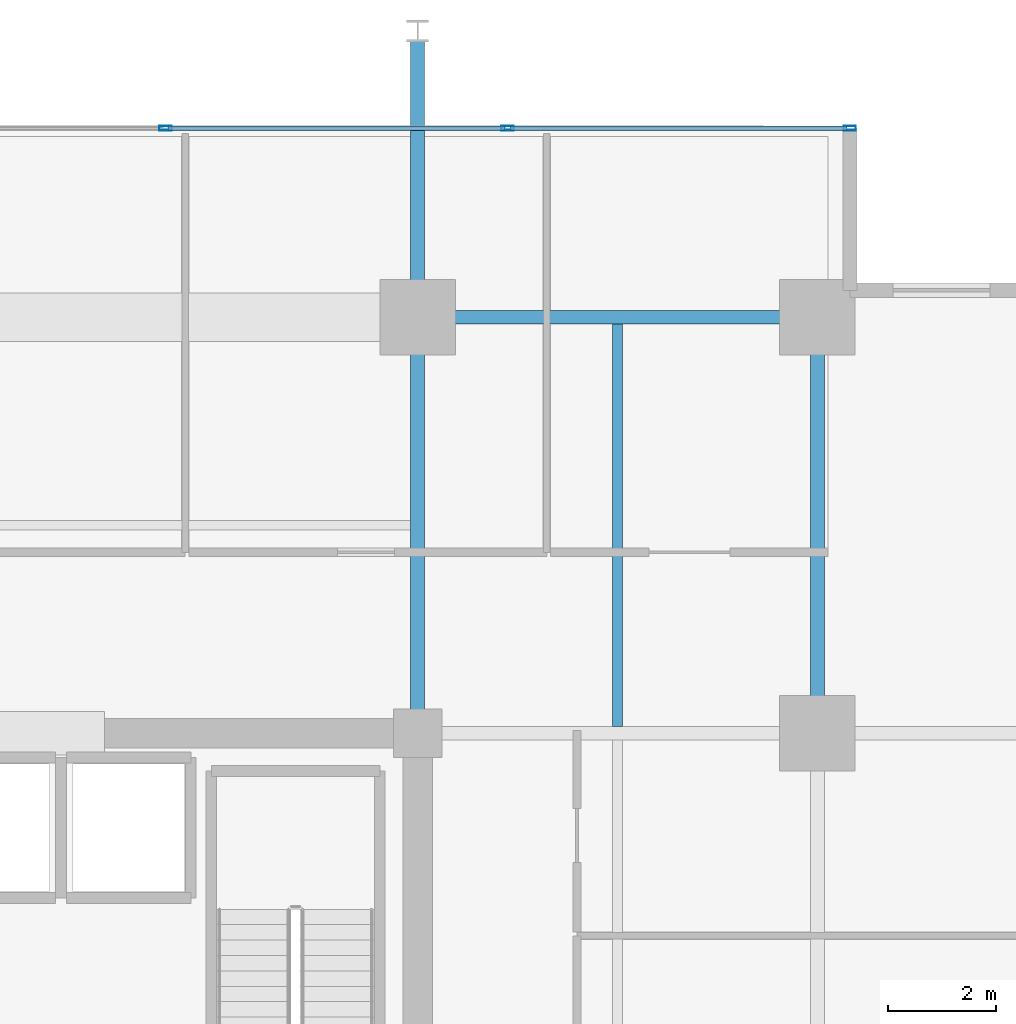
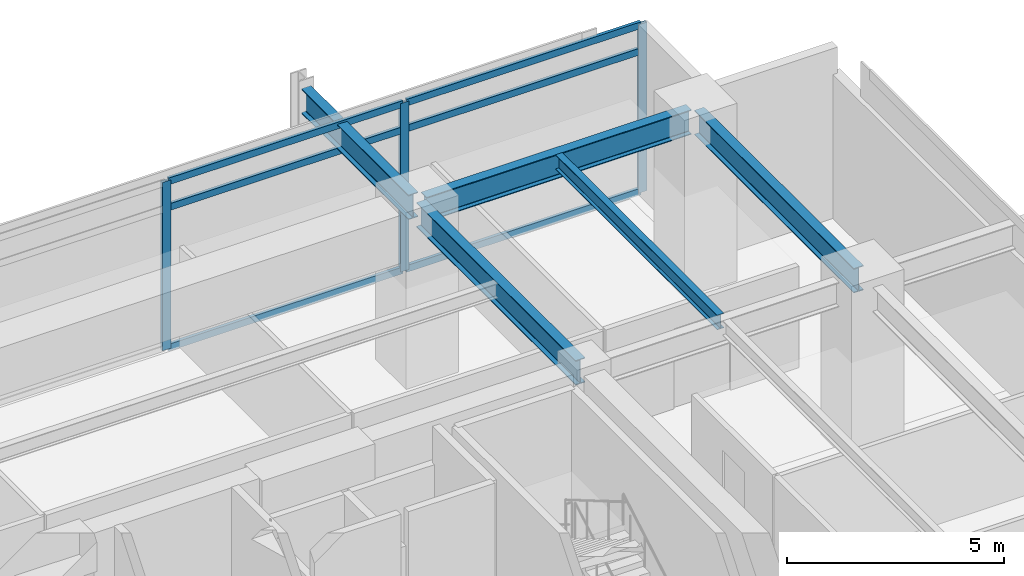
# One storey, part 10 of 19: 9 members, 5 beams, 1 element without a shape of its own.
"""IFC4 building model written with IfcOpenShell, lengths in metres."""

import ifcopenshell
import ifcopenshell.guid

model = None  # the IFC model being written
_history = None  # IfcOwnerHistory: only IFC2X3 demands one
_inside = {}  # id of a spatial element -> (the spatial element, [elements in it])
_under = {}  # id of a project, library or spatial element -> (it, [spatial elements below it])
_declared = {}  # id of a project -> (the project, [libraries it declares])
_typed = {}  # id of a type object -> (the type object, [elements of that type])
_made_of = {}  # id of a material, layer set ... -> (it, [elements and type objects made of it])


def new_model(schema):
    """Start an empty IFC model of exactly this schema.

    Asked for "IFC4X3", IfcOpenShell would pick the latest addendum, in which some entities
    have other attributes; the version numbers below select the first issue.
    IFC2X3 requires an IfcOwnerHistory on every rooted entity: one is made here for all.
    """
    global model, _history
    if schema == "IFC4X3":
        model = ifcopenshell.file(schema_version=(4, 3, 0, 0))
    else:
        model = ifcopenshell.file(schema=schema)
    _inside.clear()
    _under.clear()
    _declared.clear()
    _typed.clear()
    _made_of.clear()
    _history = None
    if model.schema == "IFC2X3":
        org = make("IfcOrganization", Name="unknown")
        user = make(
            "IfcPersonAndOrganization",
            ThePerson=make("IfcPerson", FamilyName="unknown"),
            TheOrganization=org,
        )
        app = make(
            "IfcApplication",
            ApplicationDeveloper=org,
            Version="unknown",
            ApplicationFullName="unknown",
            ApplicationIdentifier="unknown",
        )
        _history = make(
            "IfcOwnerHistory",
            OwningUser=user,
            OwningApplication=app,
            ChangeAction="ADDED",
            CreationDate=0,
        )
    return model


def make(cls, **values):
    """One entity of the class cls with the attributes given. An attribute that is None is left unset."""
    return model.create_entity(
        cls, **{name: value for name, value in values.items() if value is not None}
    )


def rooted(cls, **values):
    """An entity with a GlobalId (a new one), such as an element, a storey or a relation."""
    return make(cls, GlobalId=ifcopenshell.guid.new(), OwnerHistory=_history, **values)


def si_unit(unit_type, name, prefix=None):
    """IfcSIUnit, for example si_unit("LENGTHUNIT", "METRE", prefix="MILLI")."""
    return make("IfcSIUnit", UnitType=unit_type, Prefix=prefix, Name=name)


def assignment(units):
    """IfcUnitAssignment: the units of a project."""
    return None if units is None else make("IfcUnitAssignment", Units=units)


def point(xyz):
    """IfcCartesianPoint."""
    return None if xyz is None else make("IfcCartesianPoint", Coordinates=xyz)


def direction(xyz):
    """IfcDirection."""
    return None if xyz is None else make("IfcDirection", DirectionRatios=xyz)


def frame(location, z_axis=None, x_axis=None):
    """IfcAxis2Placement3D, a coordinate frame: its origin and axes. An axis left out is left unset."""
    return make(
        "IfcAxis2Placement3D",
        Location=point(location),
        Axis=direction(z_axis),
        RefDirection=direction(x_axis),
    )


def frame_2d(location, x_axis=None):
    """IfcAxis2Placement2D, a coordinate frame in the plane: its origin and x axis."""
    return make(
        "IfcAxis2Placement2D", Location=point(location), RefDirection=direction(x_axis)
    )


def origin():
    """The frame at (0, 0, 0) with its axes left unset."""
    return frame((0.0, 0.0, 0.0))


def origin_2d():
    """The frame at (0, 0) in the plane with its x axis left unset."""
    return frame_2d((0.0, 0.0))


def place(relative_to, where):
    """IfcLocalPlacement: puts the frame where relative to a parent placement (None: the world)."""
    return make(
        "IfcLocalPlacement", PlacementRelTo=relative_to, RelativePlacement=where
    )


def context(
    kind, dimensions, precision=None, world=None, true_north=None, identifier=None
):
    """IfcGeometricRepresentationContext, for example the 3D "Model" context."""
    return make(
        "IfcGeometricRepresentationContext",
        ContextIdentifier=identifier,
        ContextType=kind,
        CoordinateSpaceDimension=dimensions,
        Precision=precision,
        WorldCoordinateSystem=world,
        TrueNorth=true_north,
    )


def subcontext(parent, identifier, kind, view, scale=None):
    """IfcGeometricRepresentationSubContext, for example "Body" below "Model"."""
    return make(
        "IfcGeometricRepresentationSubContext",
        ContextIdentifier=identifier,
        ContextType=kind,
        ParentContext=parent,
        TargetScale=scale,
        TargetView=view,
    )


def project(units=None, contexts=None):
    """IfcProject with its units and contexts."""
    return rooted(
        "IfcProject",
        Name="project",
        RepresentationContexts=contexts,
        UnitsInContext=assignment(units),
    )


def spatial(cls, under=None, at=None, **own):
    """A site, building, storey or space (cls), placed at a placement, below another one or the project."""
    s = rooted(cls, ObjectPlacement=at, **own)
    if under is not None:
        _under.setdefault(under.id(), (under, []))[1].append(s)
    return s


def profile(cls, at=None, kind="AREA", **sizes):
    """A parametric profile (cls). Its sizes go by their IFC names, for example OverallWidth=200.0."""
    return make(cls, ProfileType=kind, Position=at, **sizes)


def hollow_rectangle(**sizes):
    """IfcRectangleHollowProfileDef."""
    return profile("IfcRectangleHollowProfileDef", **sizes)


def i_section(**sizes):
    """IfcIShapeProfileDef."""
    return profile("IfcIShapeProfileDef", **sizes)


def extrude(swept, where, along, depth):
    """IfcExtrudedAreaSolid: the profile swept, set in the frame where, extruded along a direction by depth."""
    return make(
        "IfcExtrudedAreaSolid",
        SweptArea=swept,
        Position=where,
        ExtrudedDirection=direction(along),
        Depth=depth,
    )


def shape(context_of_items, identifier, shape_type, items):
    """IfcShapeRepresentation: the items that make up one representation, for example the "Body"."""
    return make(
        "IfcShapeRepresentation",
        ContextOfItems=context_of_items,
        RepresentationIdentifier=identifier,
        RepresentationType=shape_type,
        Items=items,
    )


def material(Name=None, Category=None):
    """IfcMaterial."""
    return make("IfcMaterial", Name=Name, Category=Category)


def material_profile(
    of_material, cross_section, Name=None, Category=None, Priority=None
):
    """IfcMaterialProfile: a cross section and its material."""
    return make(
        "IfcMaterialProfile",
        Name=Name,
        Material=of_material,
        Profile=cross_section,
        Priority=Priority,
        Category=Category,
    )


def profile_set(profiles, Name=None, composite=None):
    """IfcMaterialProfileSet."""
    return make(
        "IfcMaterialProfileSet",
        Name=Name,
        MaterialProfiles=profiles,
        CompositeProfile=composite,
    )


def made_of(thing, what):
    """Note that an element or type object is made of a material, layer set ...; save() writes the relation."""
    if what is not None:
        _made_of.setdefault(what.id(), (what, []))[1].append(thing)
    return thing


def type_object(cls, material=None, **own):
    """A type object (cls), such as IfcWallType, which elements share."""
    return made_of(rooted(cls, **own), material)


def element(
    cls,
    number,
    at=None,
    inside=None,
    cuts=None,
    type_object=None,
    material=None,
    context=None,
    identifier="Body",
    shape_type=None,
    held_by="IfcProductDefinitionShape",
    body=None,
    shapes=None,
    **own,
):
    """One element of the class cls, such as IfcWall. Its Tag is "e" and its number.

    at: its placement. inside: the storey or other place that contains it. cuts: it is an
    opening in that element (IfcRelVoidsElement). A single representation is given by context,
    identifier, shape_type and body (its items); several are given by shapes. held_by: the class
    of the entity that holds the representations. save() writes the other relations.
    """
    e = rooted(cls, Tag="e%d" % number, ObjectPlacement=at, **own)
    if body is not None:
        shapes = [shape(context, identifier, shape_type, body)]
    if shapes is not None:
        e.Representation = make(held_by, Representations=shapes)
    if inside is not None:
        _inside.setdefault(inside.id(), (inside, []))[1].append(e)
    if cuts is not None:
        rooted(
            "IfcRelVoidsElement", RelatingBuildingElement=cuts, RelatedOpeningElement=e
        )
    if type_object is not None:
        _typed.setdefault(type_object.id(), (type_object, []))[1].append(e)
    return made_of(e, material)


def aggregate(whole, parts):
    """IfcRelAggregates: a whole, such as a stair, and the parts it consists of."""
    return rooted("IfcRelAggregates", RelatingObject=whole, RelatedObjects=parts)


def save(model, path):
    """Write the relations noted so far, then the file.

    IfcRelAggregates (storeys below a building ...), IfcRelContainedInSpatialStructure (elements
    in a storey), IfcRelDefinesByType, IfcRelAssociatesMaterial and IfcRelDeclares: one each for
    every whole, place, type object, material and project.
    """
    for whole, parts in _under.values():
        aggregate(whole, parts)
    for where, things in _inside.values():
        rooted(
            "IfcRelContainedInSpatialStructure",
            RelatedElements=things,
            RelatingStructure=where,
        )
    for kind, things in _typed.values():
        rooted("IfcRelDefinesByType", RelatedObjects=things, RelatingType=kind)
    for what, things in _made_of.values():
        rooted("IfcRelAssociatesMaterial", RelatedObjects=things, RelatingMaterial=what)
    for by, libraries in _declared.values():
        rooted("IfcRelDeclares", RelatingContext=by, RelatedDefinitions=libraries)
    model.write(path)


model = new_model("IFC4")

# Units and contexts
model_context = context("Model", 3, precision=1e-05, world=origin(), true_north=direction((0.0, 1.0)))
body_context = subcontext(model_context, "Body", "Model", "MODEL_VIEW")
ifc_project = project(units=[si_unit("LENGTHUNIT", "METRE"), si_unit("AREAUNIT", "SQUARE_METRE"), si_unit("VOLUMEUNIT", "CUBIC_METRE"), si_unit("PLANEANGLEUNIT", "RADIAN"), si_unit("MASSUNIT", "GRAM", prefix="KILO")], contexts=[model_context])

# Site, building, storey
site_placement = place(None, origin())
site = spatial("IfcSite", under=ifc_project, at=site_placement, CompositionType="ELEMENT")
building_placement = place(site_placement, origin())
building = spatial("IfcBuilding", under=site, at=building_placement, Name="Kovane Verandah Tower", CompositionType="ELEMENT")
storey_placement = place(building_placement, frame((0.0, 0.0, 200.199951171875)))
storey = spatial("IfcBuildingStorey", under=building, at=storey_placement, Name="L46", CompositionType="ELEMENT", Elevation=200.199951171875)

# Beams
ifc_material_1 = material(Name="Steel S355", Category="steel")
ifc_material_profile_1 = material_profile(ifc_material_1, i_section(OverallWidth=0.255859375, OverallDepth=0.69287109375, WebThickness=0.014404296875, FlangeThickness=0.023681640625, FilletRadius=0.01513671875, at=origin_2d()), Name="UB686x254x170")
ifc_profile_set_1 = profile_set([ifc_material_profile_1], Name="Steel S355")
beam_type_1 = type_object("IfcBeamType", Name="BM-UB686x170", PredefinedType="BEAM", material=ifc_profile_set_1)
beam_1_placement = place(storey_placement, frame((51.179931640625, 44.199951171875, 4.428466796875), z_axis=(1.0, 0.0, 0.0), x_axis=(0.0, 1.0, 0.0)))
element("IfcBeam", 1, at=beam_1_placement, inside=storey, type_object=beam_type_1, Name="L46 Primary Tower Girder G-RN3", PredefinedType="BEAM", context=body_context, shape_type="SweptSolid", body=[
    extrude(i_section(OverallWidth=0.255859375, OverallDepth=0.69287109375, WebThickness=0.014404296875, FlangeThickness=0.023681640625, FilletRadius=0.01513671875, at=origin_2d()), origin(), (0.0, 0.0, 1.0), 7.0400390625),
])
for number, where, z_axis, x_axis, name in (
    (2, (58.39990234375, 36.679931640625, 4.428466796875), (0.0, 1.0, 0.0), (-1.0, 0.0, 0.0), "L46 Primary Tower Girder G-RE3"),
    (3, (51.0, 36.679931640625, 4.428466796875), (0.0, 1.0, 0.0), (-1.0, 0.0, 0.0), "L46 Primary Tower Girder G-N2"),
):
    element("IfcBeam", number, at=place(storey_placement, frame(where, z_axis=z_axis, x_axis=x_axis)), inside=storey, type_object=beam_type_1, Name=name, PredefinedType="BEAM", context=body_context, shape_type="SweptSolid", body=[
        extrude(i_section(OverallWidth=0.255859375, OverallDepth=0.69287109375, WebThickness=0.014404296875, FlangeThickness=0.023681640625, FilletRadius=0.01513671875, at=origin_2d()), origin(), (0.0, 0.0, 1.0), 7.340087890625),
    ])
beam_2_placement = place(storey_placement, frame((51.0, 44.3798828125, 4.41357421875), z_axis=(0.0, 1.0, 0.0), x_axis=(-1.0, 0.0, 0.0)))
element("IfcBeam", 4, at=beam_2_placement, inside=storey, type_object=beam_type_1, Name="L46 Primary Tower Girder G-VN2", PredefinedType="BEAM", context=body_context, shape_type="SweptSolid", body=[
    extrude(i_section(OverallWidth=0.255859375, OverallDepth=0.69287109375, WebThickness=0.014404296875, FlangeThickness=0.023681640625, FilletRadius=0.01513671875, at=origin_2d()), origin(), (0.0, 0.0, 1.0), 4.940185546875),
])

# Curtain wall, members
ifc_material_2 = material(Name="Champagne Anodised Aluminium Frame with Low-E Clear Laminated Glass", Category="aluminium")
curtain_wall_type = type_object("IfcCurtainWallType", Name="CW-SYS-04-WAIST", PredefinedType="NOTDEFINED", material=ifc_material_2)
curtain_wall_placement = place(storey_placement, origin())
curtain_wall = element("IfcCurtainWall", 5, at=curtain_wall_placement, inside=storey, type_object=curtain_wall_type, Name="L46 N Unitised Curtain Wall", PredefinedType="NOTDEFINED")
ifc_material_3 = material(Name="Champagne Anodised Aluminium 6063-T6", Category="aluminium")
ifc_material_profile_2 = material_profile(ifc_material_3, hollow_rectangle(XDim=0.0849609375, YDim=0.22998046875, WallThickness=0.00390625, at=origin_2d()), Name="AL85x230x4")
ifc_profile_set_2 = profile_set([ifc_material_profile_2], Name="Champagne Anodised Aluminium 6063-T6")
member_type_1 = type_object("IfcMemberType", Name="CW-MUL-85x230", PredefinedType="MULLION", material=ifc_profile_set_2)
member_1_placement = place(storey_placement, frame((59.0, 47.699951171875, 0.02001953125), z_axis=(0.0, 0.0, 1.0), x_axis=(0.0, 1.0, 0.0)))
member_1 = element("IfcMember", 6, at=member_1_placement, type_object=member_type_1, Name="L46 N Unitised Curtain Wall Mullion 1", PredefinedType="MULLION", context=body_context, shape_type="SweptSolid", body=[
    extrude(hollow_rectangle(XDim=0.0849609375, YDim=0.22998046875, WallThickness=0.00390625, at=origin_2d()), origin(), (0.0, 0.0, 1.0), 4.735107421875),
])
member_2_placement = place(storey_placement, frame((52.666748046875, 47.699951171875, 0.02001953125), z_axis=(0.0, 0.0, 1.0), x_axis=(0.0, 1.0, 0.0)))
member_2 = element("IfcMember", 7, at=member_2_placement, type_object=member_type_1, Name="L46 N Unitised Curtain Wall Mullion 2", PredefinedType="MULLION", context=body_context, shape_type="SweptSolid", body=[
    extrude(hollow_rectangle(XDim=0.0849609375, YDim=0.22998046875, WallThickness=0.00390625, at=origin_2d()), origin(), (0.0, 0.0, 1.0), 4.735107421875),
])
member_3_placement = place(storey_placement, frame((46.333251953125, 47.699951171875, 0.02001953125), z_axis=(0.0, 0.0, 1.0), x_axis=(0.0, 1.0, 0.0)))
member_3 = element("IfcMember", 8, at=member_3_placement, type_object=member_type_1, Name="L46 N Unitised Curtain Wall Mullion 3", PredefinedType="MULLION", context=body_context, shape_type="SweptSolid", body=[
    extrude(hollow_rectangle(XDim=0.0849609375, YDim=0.22998046875, WallThickness=0.00390625, at=origin_2d()), origin(), (0.0, 0.0, 1.0), 4.735107421875),
])
ifc_material_profile_3 = material_profile(ifc_material_3, hollow_rectangle(XDim=0.0849609375, YDim=0.18994140625, WallThickness=0.00390625, at=origin_2d()), Name="AL85x190x4")
ifc_profile_set_3 = profile_set([ifc_material_profile_3], Name="Champagne Anodised Aluminium 6063-T6")
member_type_2 = type_object("IfcMemberType", Name="CW-TRN-85x190", PredefinedType="USERDEFINED", material=ifc_profile_set_3)
member_4_placement = place(storey_placement, frame((58.949951171875, 47.699951171875, 0.050048828125), z_axis=(-1.0, 0.0, 0.0), x_axis=(0.0, -1.0, 0.0)))
member_4 = element("IfcMember", 9, at=member_4_placement, type_object=member_type_2, Name="L46 N Unitised Curtain Wall Transom TB Bay 1", ObjectType="TRANSOM", PredefinedType="USERDEFINED", context=body_context, shape_type="SweptSolid", body=[
    extrude(hollow_rectangle(XDim=0.0849609375, YDim=0.18994140625, WallThickness=0.00390625, at=origin_2d()), origin(), (0.0, 0.0, 1.0), 6.233154296875),
])
member_5_placement = place(storey_placement, frame((58.949951171875, 47.699951171875, 3.9951171875), z_axis=(-1.0, 0.0, 0.0), x_axis=(0.0, -1.0, 0.0)))
member_5 = element("IfcMember", 10, at=member_5_placement, type_object=member_type_2, Name="L46 N Unitised Curtain Wall Transom TM Bay 1", ObjectType="TRANSOM", PredefinedType="USERDEFINED", context=body_context, shape_type="SweptSolid", body=[
    extrude(hollow_rectangle(XDim=0.0849609375, YDim=0.18994140625, WallThickness=0.00390625, at=origin_2d()), origin(), (0.0, 0.0, 1.0), 6.233154296875),
])
member_6_placement = place(storey_placement, frame((58.949951171875, 47.699951171875, 4.72509765625), z_axis=(-1.0, 0.0, 0.0), x_axis=(0.0, -1.0, 0.0)))
member_6 = element("IfcMember", 11, at=member_6_placement, type_object=member_type_2, Name="L46 N Unitised Curtain Wall Transom TT Bay 1", ObjectType="TRANSOM", PredefinedType="USERDEFINED", context=body_context, shape_type="SweptSolid", body=[
    extrude(hollow_rectangle(XDim=0.0849609375, YDim=0.18994140625, WallThickness=0.00390625, at=origin_2d()), origin(), (0.0, 0.0, 1.0), 6.233154296875),
])
member_7_placement = place(storey_placement, frame((52.61669921875, 47.699951171875, 0.050048828125), z_axis=(-1.0, 0.0, 0.0), x_axis=(0.0, -1.0, 0.0)))
member_7 = element("IfcMember", 12, at=member_7_placement, type_object=member_type_2, Name="L46 N Unitised Curtain Wall Transom TB Bay 2", ObjectType="TRANSOM", PredefinedType="USERDEFINED", context=body_context, shape_type="SweptSolid", body=[
    extrude(hollow_rectangle(XDim=0.0849609375, YDim=0.18994140625, WallThickness=0.00390625, at=origin_2d()), origin(), (0.0, 0.0, 1.0), 6.2333984375),
])
member_8_placement = place(storey_placement, frame((52.61669921875, 47.699951171875, 3.9951171875), z_axis=(-1.0, 0.0, 0.0), x_axis=(0.0, -1.0, 0.0)))
member_8 = element("IfcMember", 13, at=member_8_placement, type_object=member_type_2, Name="L46 N Unitised Curtain Wall Transom TM Bay 2", ObjectType="TRANSOM", PredefinedType="USERDEFINED", context=body_context, shape_type="SweptSolid", body=[
    extrude(hollow_rectangle(XDim=0.0849609375, YDim=0.18994140625, WallThickness=0.00390625, at=origin_2d()), origin(), (0.0, 0.0, 1.0), 6.2333984375),
])
member_9_placement = place(storey_placement, frame((52.61669921875, 47.699951171875, 4.72509765625), z_axis=(-1.0, 0.0, 0.0), x_axis=(0.0, -1.0, 0.0)))
member_9 = element("IfcMember", 14, at=member_9_placement, type_object=member_type_2, Name="L46 N Unitised Curtain Wall Transom TT Bay 2", ObjectType="TRANSOM", PredefinedType="USERDEFINED", context=body_context, shape_type="SweptSolid", body=[
    extrude(hollow_rectangle(XDim=0.0849609375, YDim=0.18994140625, WallThickness=0.00390625, at=origin_2d()), origin(), (0.0, 0.0, 1.0), 6.2333984375),
])
aggregate(curtain_wall, [member_1, member_2, member_3, member_4, member_5, member_6, member_7, member_8, member_9])

# Beam
ifc_material_profile_4 = material_profile(ifc_material_1, i_section(OverallWidth=0.179443359375, OverallDepth=0.412841796875, WebThickness=0.009521484375, FlangeThickness=0.01611328125, FilletRadius=0.01025390625, at=origin_2d()), Name="UB406x178x74")
ifc_profile_set_4 = profile_set([ifc_material_profile_4], Name="Steel S355")
beam_type_2 = type_object("IfcBeamType", Name="JST-UB406x74", PredefinedType="JOIST", material=ifc_profile_set_4)
beam_3_placement = place(storey_placement, frame((54.699951171875, 36.6259765625, 4.568603515625), z_axis=(0.0, 1.0, 0.0), x_axis=(-1.0, 0.0, 0.0)))
element("IfcBeam", 15, at=beam_3_placement, inside=storey, type_object=beam_type_2, Name="L46 Secondary Composite Joist J-NE1", PredefinedType="JOIST", context=body_context, shape_type="SweptSolid", body=[
    extrude(i_section(OverallWidth=0.179443359375, OverallDepth=0.412841796875, WebThickness=0.009521484375, FlangeThickness=0.01611328125, FilletRadius=0.01025390625, at=origin_2d()), origin(), (0.0, 0.0, 1.0), 7.4482421875),
])

save(model, "model.ifc")
